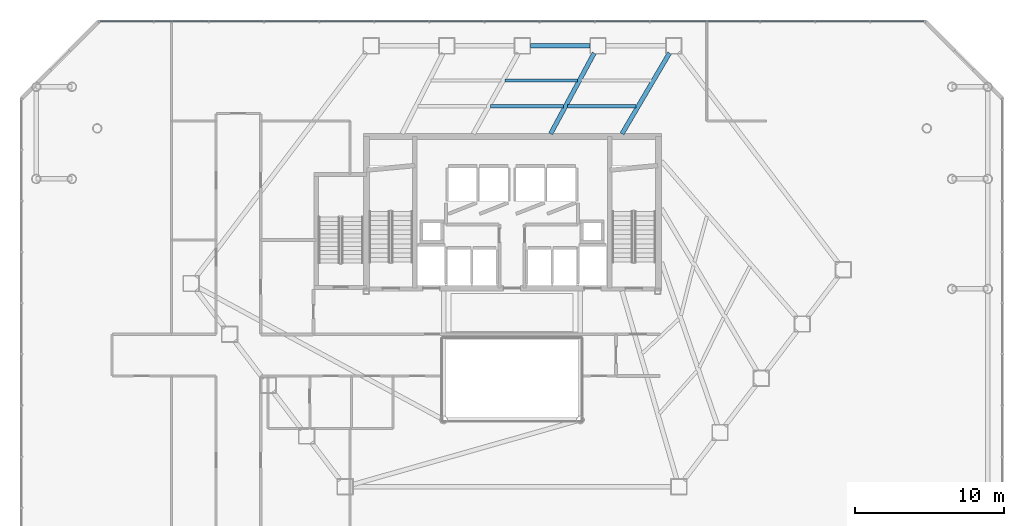
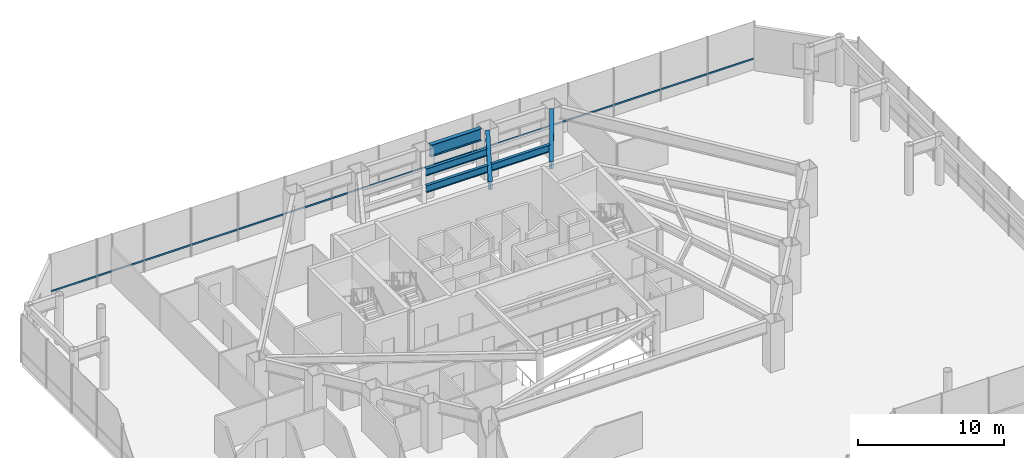
# One storey, part 19 of 33: 6 beams, 1 member, 1 element without a shape of its own.
"""IFC4 building model written with IfcOpenShell, lengths in metres."""

from ifc_helpers import new_model, si_unit, direction, frame, origin, origin_2d, place, context, subcontext, project, spatial, hollow_rectangle, i_section, extrude, material, layer, layer_set, material_profile, profile_set, type_object, element, aggregate, save


model = new_model("IFC4")

# Units and contexts
model_context = context("Model", 3, precision=1e-05, world=origin(), true_north=direction((0.0, 1.0)))
body_context = subcontext(model_context, "Body", "Model", "MODEL_VIEW")
ifc_project = project(units=[si_unit("LENGTHUNIT", "METRE"), si_unit("AREAUNIT", "SQUARE_METRE"), si_unit("VOLUMEUNIT", "CUBIC_METRE"), si_unit("PLANEANGLEUNIT", "RADIAN"), si_unit("MASSUNIT", "GRAM", prefix="KILO")], contexts=[model_context])

# Site, building, storey
site_placement = place(None, origin())
site = spatial("IfcSite", under=ifc_project, at=site_placement, CompositionType="ELEMENT")
building_placement = place(site_placement, origin())
building = spatial("IfcBuilding", under=site, at=building_placement, Name="Zarrinselat Tower", CompositionType="ELEMENT")
storey_placement = place(building_placement, frame((0.0, 0.0, 18.360107421875)))
storey = spatial("IfcBuildingStorey", under=building, at=storey_placement, Name="L04", CompositionType="ELEMENT", Elevation=18.360107421875)

# Beams
ifc_material_1 = material(Name="Steel S355J2", Category="steel")
ifc_material_profile_1 = material_profile(ifc_material_1, i_section(OverallWidth=0.300048828125, OverallDepth=0.64990234375, WebThickness=0.01611328125, FlangeThickness=0.031005859375, at=origin_2d()), Name="HEB 650")
ifc_profile_set_1 = profile_set([ifc_material_profile_1], Name="Steel S355J2")
beam_type_1 = type_object("IfcBeamType", Name="BM-HEB650", PredefinedType="BEAM", material=ifc_profile_set_1)
beam_1_placement = place(storey_placement, frame((45.800048828125, 43.639892578125, 3.744873046875), z_axis=(0.5070624313, 0.861909328621, 0.0), x_axis=(-0.861909328621, 0.5070624313, 0.0)))
element("IfcBeam", 1, at=beam_1_placement, inside=storey, type_object=beam_type_1, Name="L04 Radial Primary Girder RG01", PredefinedType="BEAM", context=body_context, shape_type="SweptSolid", body=[
    extrude(i_section(OverallWidth=0.300048828125, OverallDepth=0.64990234375, WebThickness=0.01611328125, FlangeThickness=0.031005859375, at=origin_2d()), origin(), (0.0, 0.0, 1.0), 6.304931640625),
])
beam_2_placement = place(storey_placement, frame((41.0, 43.639892578125, 3.744873046875), z_axis=(0.474820116737, 0.880082869247, 0.0), x_axis=(-0.880082869247, 0.474820116737, 0.0)))
element("IfcBeam", 2, at=beam_2_placement, inside=storey, type_object=beam_type_1, Name="L04 Radial Primary Girder RG02", PredefinedType="BEAM", context=body_context, shape_type="SweptSolid", body=[
    extrude(i_section(OverallWidth=0.300048828125, OverallDepth=0.64990234375, WebThickness=0.01611328125, FlangeThickness=0.031005859375, at=origin_2d()), origin(), (0.0, 0.0, 1.0), 6.163330078125),
])
ifc_material_2 = material(Name="Steel S460M", Category="steel")
ifc_material_profile_2 = material_profile(ifc_material_2, i_section(OverallWidth=0.302001953125, OverallDepth=1.008056640625, WebThickness=0.02099609375, FlangeThickness=0.0400390625, at=origin_2d()), Name="HEM 1000")
ifc_profile_set_2 = profile_set([ifc_material_profile_2], Name="Steel S460M")
beam_type_2 = type_object("IfcBeamType", Name="BM-HEM1000", PredefinedType="BEAM", material=ifc_profile_set_2)
beam_3_placement = place(storey_placement, frame((39.637939453125, 49.550048828125, 3.56591796875), z_axis=(1.0, 0.0, 0.0), x_axis=(0.0, 1.0, 0.0)))
element("IfcBeam", 3, at=beam_3_placement, inside=storey, type_object=beam_type_2, Name="L04 Perimeter Spandrel Girder SP02", PredefinedType="BEAM", context=body_context, shape_type="SweptSolid", body=[
    extrude(i_section(OverallWidth=0.302001953125, OverallDepth=1.008056640625, WebThickness=0.02099609375, FlangeThickness=0.0400390625, at=origin_2d()), origin(), (0.0, 0.0, 1.0), 4.012451171875),
])
ifc_material_3 = material(Name="Steel S355J2", Category="steel")
ifc_material_profile_3 = material_profile(ifc_material_3, i_section(OverallWidth=0.219970703125, OverallDepth=0.60009765625, WebThickness=0.011962890625, FlangeThickness=0.01904296875, at=origin_2d()), Name="IPE 600")
ifc_profile_set_3 = profile_set([ifc_material_profile_3], Name="Steel S355J2")
beam_type_3 = type_object("IfcBeamType", Name="BM-IPE600", PredefinedType="JOIST", material=ifc_profile_set_3)
beam_4_placement = place(storey_placement, frame((42.135009765625, 45.484375, 3.769775390625), z_axis=(0.999999763219, 0.000688158219, 0.0), x_axis=(-0.000688158219, 0.999999763219, 0.0)))
element("IfcBeam", 4, at=beam_4_placement, inside=storey, type_object=beam_type_3, Name="L04 Composite Floor Joist 7-2", PredefinedType="JOIST", context=body_context, shape_type="SweptSolid", body=[
    extrude(i_section(OverallWidth=0.219970703125, OverallDepth=0.60009765625, WebThickness=0.011962890625, FlangeThickness=0.01904296875, at=origin_2d()), origin(), (0.0, 0.0, 1.0), 4.612060546875),
])
beam_5_placement = place(storey_placement, frame((37.9404296875, 47.222412109375, 3.769775390625), z_axis=(0.999999873359, -0.000503271199, 0.0), x_axis=(0.000503271199, 0.999999873359, 0.0)))
element("IfcBeam", 5, at=beam_5_placement, inside=storey, type_object=beam_type_3, Name="L04 Composite Floor Joist 8-1", PredefinedType="JOIST", context=body_context, shape_type="SweptSolid", body=[
    extrude(i_section(OverallWidth=0.219970703125, OverallDepth=0.60009765625, WebThickness=0.011962890625, FlangeThickness=0.01904296875, at=origin_2d()), origin(), (0.0, 0.0, 1.0), 4.85107421875),
])
beam_6_placement = place(storey_placement, frame((36.970458984375, 45.485595703125, 3.769775390625), z_axis=(0.999999968772, -0.000249912523, 0.0), x_axis=(0.000249912523, 0.999999968772, 0.0)))
element("IfcBeam", 6, at=beam_6_placement, inside=storey, type_object=beam_type_3, Name="L04 Composite Floor Joist 8-2", PredefinedType="JOIST", context=body_context, shape_type="SweptSolid", body=[
    extrude(i_section(OverallWidth=0.219970703125, OverallDepth=0.60009765625, WebThickness=0.011962890625, FlangeThickness=0.01904296875, at=origin_2d()), origin(), (0.0, 0.0, 1.0), 4.884521484375),
])

# Curtain wall, member
ifc_material_4 = material(Name="Extruded Aluminium Alloy EN AW-6063 T6", Category="aluminium")
ifc_layer = layer(ifc_material_4, 0.2099609375)
ifc_layer_set = layer_set([ifc_layer], Name="Extruded Aluminium Alloy EN AW-6063 T6")
curtain_wall_type = type_object("IfcCurtainWallType", Name="CWS-POD", PredefinedType="NOTDEFINED", material=ifc_layer_set)
curtain_wall_placement = place(storey_placement, origin())
curtain_wall = element("IfcCurtainWall", 7, at=curtain_wall_placement, inside=storey, type_object=curtain_wall_type, Name="L04 Unitised Curtain Wall CW-L04-F5", PredefinedType="NOTDEFINED")
ifc_material_5 = material(Name="Extruded Aluminium Alloy EN AW-6063 T6", Category="aluminium")
ifc_material_profile_4 = material_profile(ifc_material_5, hollow_rectangle(XDim=0.06005859375, YDim=0.139892578125, WallThickness=0.00390625, at=origin_2d()), Name="RHS 140x60x4")
ifc_profile_set_4 = profile_set([ifc_material_profile_4], Name="Extruded Aluminium Alloy EN AW-6063 T6")
member_type = type_object("IfcMemberType", Name="MEM-CW-TRN", PredefinedType="USERDEFINED", material=ifc_profile_set_4)
member_placement = place(storey_placement, frame((66.110107421875, 51.199951171875, 0.949951171875), z_axis=(-1.0, 0.0, 0.0), x_axis=(0.0, -1.0, 0.0)))
member = element("IfcMember", 8, at=member_placement, type_object=member_type, Name="CW-L04-F5 Transom 1", ObjectType="TRANSOM", PredefinedType="USERDEFINED", context=body_context, shape_type="SweptSolid", body=[
    extrude(hollow_rectangle(XDim=0.06005859375, YDim=0.139892578125, WallThickness=0.00390625, at=origin_2d()), origin(), (0.0, 0.0, 1.0), 55.420166015625),
])
aggregate(curtain_wall, [member])

save(model, "model.ifc")
